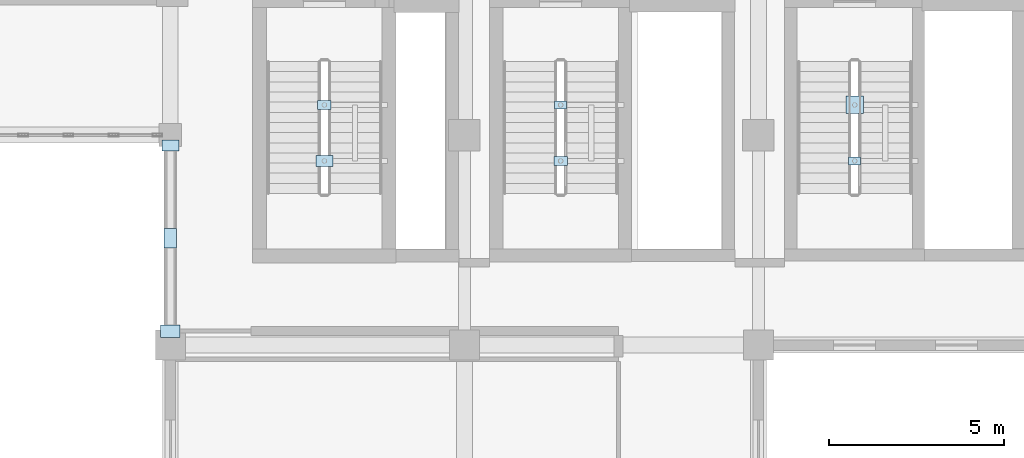
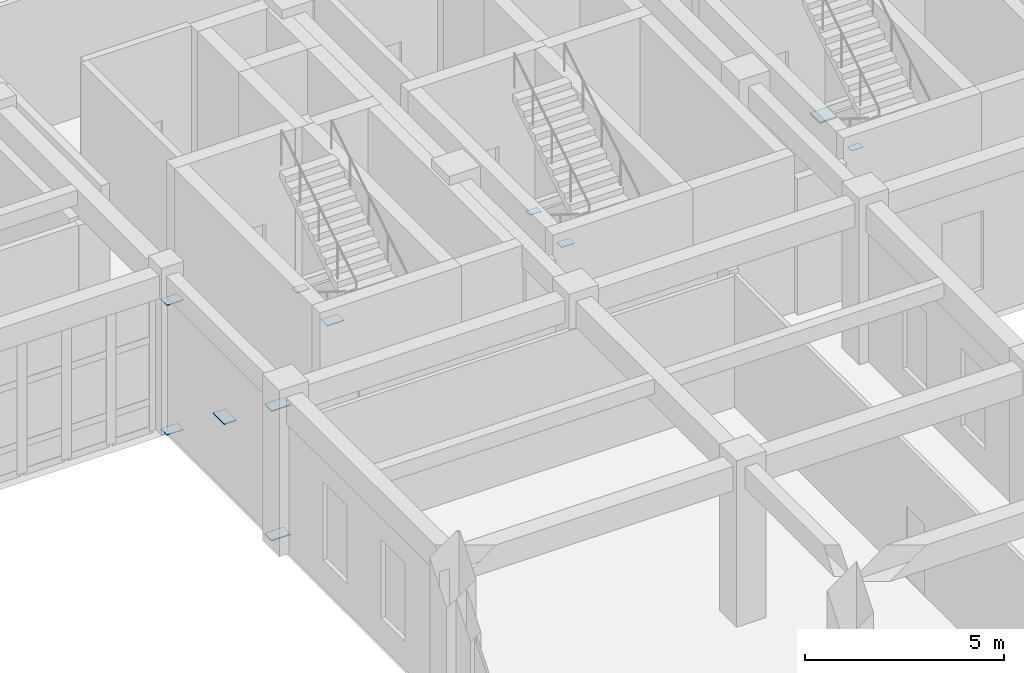
# One storey, part 54 of 80: 11 plates.
"""IFC4 building model written with IfcOpenShell, lengths in metres."""

from ifc_helpers import new_model, si_unit, direction, frame, origin, origin_2d, place, context, subcontext, project, spatial, rectangle, extrude, material, layer, layer_set, type_object, element, save


model = new_model("IFC4")

# Units and contexts
model_context = context("Model", 3, precision=1e-05, world=origin(), true_north=direction((0.0, 1.0)))
body_context = subcontext(model_context, "Body", "Model", "MODEL_VIEW")
ifc_project = project(units=[si_unit("LENGTHUNIT", "METRE"), si_unit("AREAUNIT", "SQUARE_METRE"), si_unit("VOLUMEUNIT", "CUBIC_METRE"), si_unit("PLANEANGLEUNIT", "RADIAN"), si_unit("MASSUNIT", "GRAM", prefix="KILO")], contexts=[model_context])

# Site, building, storey
site_placement = place(None, origin())
site = spatial("IfcSite", under=ifc_project, at=site_placement, CompositionType="ELEMENT")
building_placement = place(site_placement, origin())
building = spatial("IfcBuilding", under=site, at=building_placement, Name="Krzemoval Escarpment Law Courts", CompositionType="ELEMENT")
storey_placement = place(building_placement, origin())
storey = spatial("IfcBuildingStorey", under=building, at=storey_placement, Name="L00", CompositionType="ELEMENT", Elevation=0.0)

# Plates
ifc_material_1 = material(Name="Steel S355", Category="steel")
ifc_layer_1 = layer(ifc_material_1, 0.0400390625)
ifc_layer_set_1 = layer_set([ifc_layer_1], Name="Steel S355")
plate_type_1 = type_object("IfcPlateType", Name="PLT-FLG-40", PredefinedType="USERDEFINED", material=ifc_layer_set_1)
plate_placement = place(storey_placement, frame((145.550048828125, 100.4599609375, 2.10009765625), z_axis=(0.0, 0.0, 1.0), x_axis=(1.0, 0.0, 0.0)))
element("IfcPlate", 1, at=plate_placement, inside=storey, type_object=plate_type_1, Name="Gusset and End-Cap Plate ECP-0343", ObjectType="FLANGE_PLATE", PredefinedType="USERDEFINED", context=body_context, shape_type="SweptSolid", body=[
    extrude(rectangle(XDim=0.5, YDim=0.5, at=origin_2d()), origin(), (0.0, 0.0, 1.0), 0.0400390625),
])
ifc_material_2 = material(Name="Steel S355", Category="steel")
ifc_layer_2 = layer(ifc_material_2, 0.011962890625)
ifc_layer_set_2 = layer_set([ifc_layer_2], Name="Steel S355")
plate_type_2 = type_object("IfcPlateType", Name="PLT-GUS-12", PredefinedType="USERDEFINED", material=ifc_layer_set_2)
for number, where, z_axis, x_axis, name in (
    (2, (137.14990234375, 100.4599609375, 2.1142578125), (0.0, 0.0, 1.0), (1.0, 0.0, 0.0), "Gusset and End-Cap Plate ECP-0321"),
    (3, (145.550048828125, 98.860107421875, 2.1142578125), (0.0, 0.0, 1.0), (1.0, 0.0, 0.0), "Gusset and End-Cap Plate ECP-0342"),
):
    element("IfcPlate", number, at=place(storey_placement, frame(where, z_axis=z_axis, x_axis=x_axis)), inside=storey, type_object=plate_type_2, Name=name, ObjectType="GUSSET_PLATE", PredefinedType="USERDEFINED", context=body_context, shape_type="SweptSolid", body=[
        extrude(rectangle(XDim=0.340087890625, YDim=0.219970703125, at=origin_2d()), origin(), (0.0, 0.0, 1.0), 0.011962890625),
    ])
ifc_material_3 = material(Name="Steel S355", Category="steel")
ifc_layer_3 = layer(ifc_material_3, 0.01611328125)
ifc_layer_set_3 = layer_set([ifc_layer_3], Name="Steel S355")
plate_type_3 = type_object("IfcPlateType", Name="PLT-GUS-16", PredefinedType="USERDEFINED", material=ifc_layer_set_3)
for number, where, z_axis, x_axis, name in (
    (4, (130.39990234375, 100.4599609375, 2.112060546875), (0.0, 0.0, 1.0), (1.0, 0.0, 0.0), "Gusset and End-Cap Plate ECP-0299"),
    (5, (137.14990234375, 98.860107421875, 2.112060546875), (0.0, 0.0, 1.0), (1.0, 0.0, 0.0), "Gusset and End-Cap Plate ECP-0320"),
):
    element("IfcPlate", number, at=place(storey_placement, frame(where, z_axis=z_axis, x_axis=x_axis)), inside=storey, type_object=plate_type_3, Name=name, ObjectType="GUSSET_PLATE", PredefinedType="USERDEFINED", context=body_context, shape_type="SweptSolid", body=[
        extrude(rectangle(XDim=0.3798828125, YDim=0.260009765625, at=origin_2d()), origin(), (0.0, 0.0, 1.0), 0.01611328125),
    ])
ifc_material_4 = material(Name="Steel S355", Category="steel")
ifc_layer_4 = layer(ifc_material_4, 0.02001953125)
ifc_layer_set_4 = layer_set([ifc_layer_4], Name="Steel S355")
plate_type_4 = type_object("IfcPlateType", Name="PLT-GUS-20", PredefinedType="USERDEFINED", material=ifc_layer_set_4)
for number, where, z_axis, x_axis, name in (
    (6, (126.0, 99.300048828125, 4.010009765625), (0.0, 0.0, 1.0), (1.0, 0.0, 0.0), "Gusset and End-Cap Plate ECP-0253"),
    (7, (126.0, 99.300048828125, 0.0400390625), (0.0, 0.0, 1.0), (1.0, 0.0, 0.0), "Gusset and End-Cap Plate ECP-0255"),
    (8, (130.39990234375, 98.860107421875, 2.110107421875), (0.0, 0.0, 1.0), (1.0, 0.0, 0.0), "Gusset and End-Cap Plate ECP-0298"),
):
    element("IfcPlate", number, at=place(storey_placement, frame(where, z_axis=z_axis, x_axis=x_axis)), inside=storey, type_object=plate_type_4, Name=name, ObjectType="GUSSET_PLATE", PredefinedType="USERDEFINED", context=body_context, shape_type="SweptSolid", body=[
        extrude(rectangle(XDim=0.47998046875, YDim=0.320068359375, at=origin_2d()), origin(), (0.0, 0.0, 1.0), 0.02001953125),
    ])
ifc_material_5 = material(Name="Steel S355", Category="steel")
ifc_layer_5 = layer(ifc_material_5, 0.030029296875)
ifc_layer_set_5 = layer_set([ifc_layer_5], Name="Steel S355")
plate_type_5 = type_object("IfcPlateType", Name="PLT-GUS-30", PredefinedType="USERDEFINED", material=ifc_layer_set_5)
for number, where, z_axis, x_axis, name in (
    (9, (126.0, 96.64990234375, 2.02001953125), (0.0, 0.0, 1.0), (0.0, 1.0, 0.0), "X-Brace Central Crossing Gusset Plate XGP-0025"),
    (10, (126.0, 94.0, 0.03515625), (0.0, 0.0, 1.0), (1.0, 0.0, 0.0), "Gusset and End-Cap Plate ECP-0252"),
    (11, (126.0, 94.0, 4.0048828125), (0.0, 0.0, 1.0), (1.0, 0.0, 0.0), "Gusset and End-Cap Plate ECP-0254"),
):
    element("IfcPlate", number, at=place(storey_placement, frame(where, z_axis=z_axis, x_axis=x_axis)), inside=storey, type_object=plate_type_5, Name=name, ObjectType="GUSSET_PLATE", PredefinedType="USERDEFINED", context=body_context, shape_type="SweptSolid", body=[
        extrude(rectangle(XDim=0.56005859375, YDim=0.360107421875, at=origin_2d()), origin(), (0.0, 0.0, 1.0), 0.030029296875),
    ])

save(model, "model.ifc")
